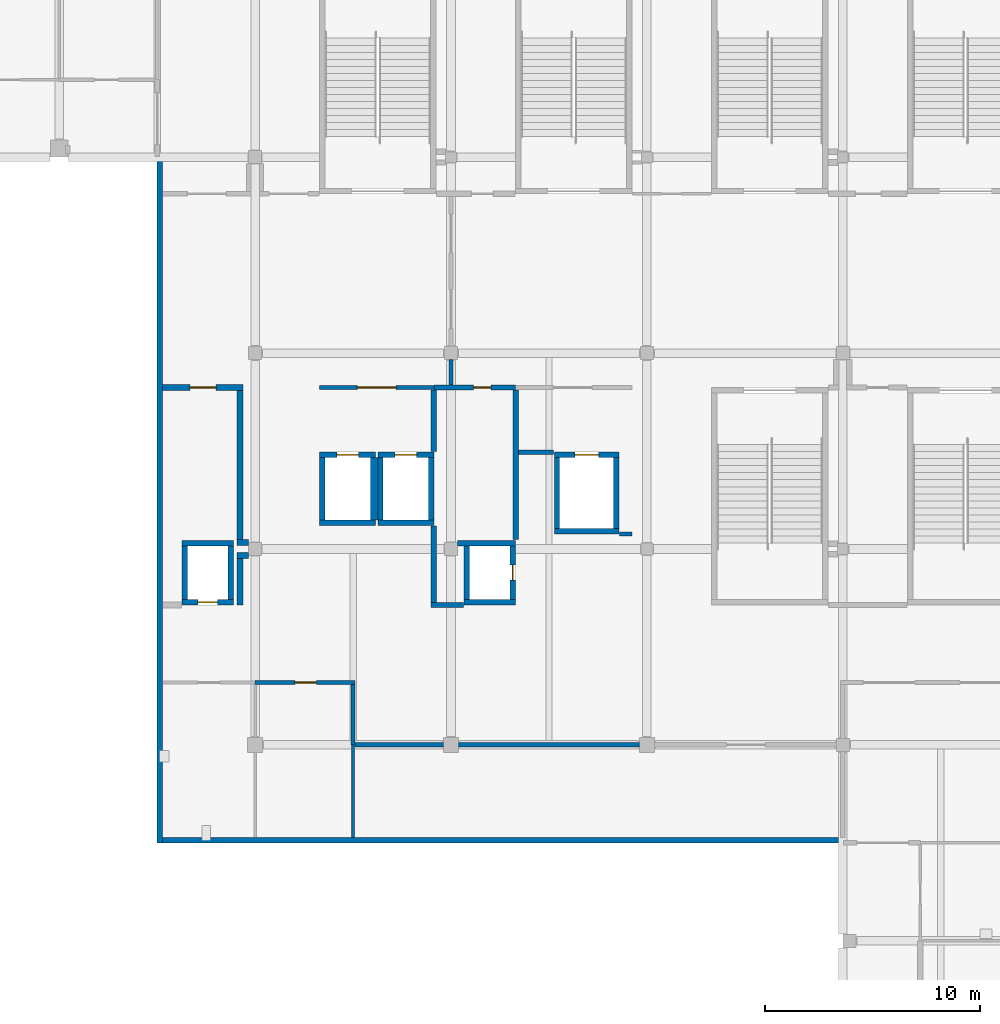
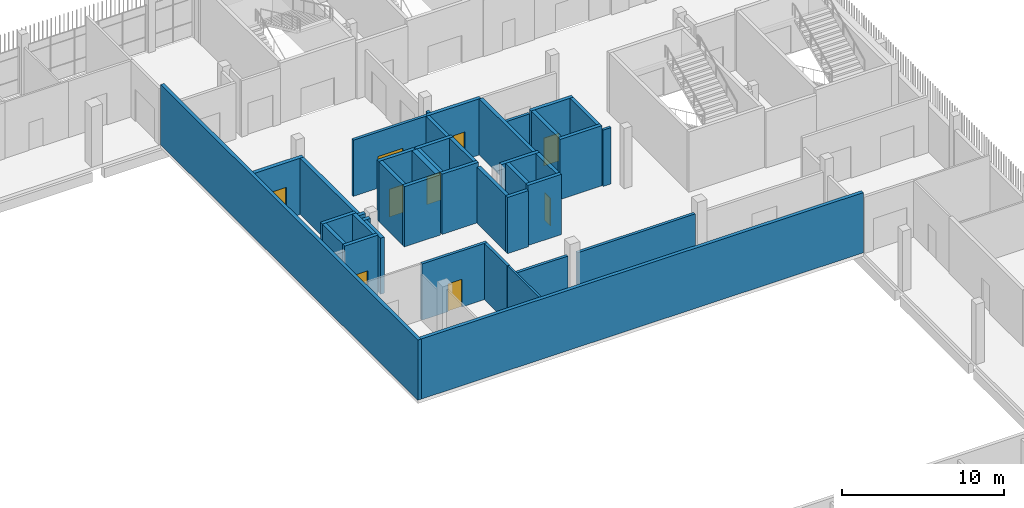
# One storey, part 77 of 124: 41 walls, 9 doors, 9 openings.
"""IFC4 building model written with IfcOpenShell, lengths in metres."""

from ifc_helpers import new_model, si_unit, direction, frame, frame_2d, origin, place, context, subcontext, project, spatial, rectangle, extrude, material, layer, layer_set, type_object, element, fill, save


model = new_model("IFC4")

# Units and contexts
model_context = context("Model", 3, precision=1e-05, world=origin(), true_north=direction((0.0, 1.0)))
body_context = subcontext(model_context, "Body", "Model", "MODEL_VIEW")
ifc_project = project(units=[si_unit("LENGTHUNIT", "METRE"), si_unit("AREAUNIT", "SQUARE_METRE"), si_unit("VOLUMEUNIT", "CUBIC_METRE"), si_unit("PLANEANGLEUNIT", "RADIAN"), si_unit("MASSUNIT", "GRAM", prefix="KILO")], contexts=[model_context])

# Site, building, storey
site_placement = place(None, origin())
site = spatial("IfcSite", under=ifc_project, at=site_placement, CompositionType="ELEMENT")
building_placement = place(site_placement, origin())
building = spatial("IfcBuilding", under=site, at=building_placement, Name="Shirokan Park Arena", CompositionType="ELEMENT")
storey_placement = place(building_placement, frame((0.0, 0.0, 20.02001953125)))
storey = spatial("IfcBuildingStorey", under=building, at=storey_placement, Name="L04", CompositionType="ELEMENT", Elevation=20.02001953125)

# Walls
ifc_material_1 = material(Name="Plaster")
ifc_layer_1 = layer(ifc_material_1, 0.014892578125, Name="Plaster")
ifc_material_2 = material(Name="Concrete blockwork", Category="masonry")
ifc_layer_2 = layer(ifc_material_2, 0.219970703125, Name="Concrete blockwork 220")
ifc_layer_3 = layer(ifc_material_1, 0.014892578125, Name="Plaster")
ifc_layer_set_1 = layer_set([ifc_layer_1, ifc_layer_2, ifc_layer_3], Name="Plaster + Concrete blockwork 220")
wall_type_1 = type_object("IfcWallType", Name="Compartment wall 250", PredefinedType="SOLIDWALL", material=ifc_layer_set_1)
wall_1_placement = place(storey_placement, frame((117.5, 79.425048828125, 0.0), z_axis=(0.0, 0.0, 1.0), x_axis=(0.0, 1.0, 0.0)))
element("IfcWall", 1, at=wall_1_placement, inside=storey, type_object=wall_type_1, Name="Compartment wall 250 L04", PredefinedType="SOLIDWALL", context=body_context, shape_type="SweptSolid", body=[
    extrude(rectangle(XDim=3.544921875, YDim=0.25, at=frame_2d((1.7724609375, 0.0))), origin(), (0.0, 0.0, 1.0), 4.25),
])
wall_2_placement = place(storey_placement, frame((117.5, 86.429931640625, 0.0), z_axis=(0.0, 0.0, 1.0), x_axis=(0.0, 1.0, 0.0)))
element("IfcWall", 2, at=wall_2_placement, inside=storey, type_object=wall_type_1, Name="Compartment wall 250 L04", PredefinedType="SOLIDWALL", context=body_context, shape_type="SweptSolid", body=[
    extrude(rectangle(XDim=2.844970703125, YDim=0.25, at=frame_2d((1.42236328125, 0.0))), origin(), (0.0, 0.0, 1.0), 4.25),
])

# Wall, opening, door
wall_3_placement = place(storey_placement, frame((117.5, 89.39990234375, 0.0), z_axis=(0.0, 0.0, 1.0), x_axis=(1.0, 0.0, 0.0)))
wall_3 = element("IfcWall", 3, at=wall_3_placement, inside=storey, type_object=wall_type_1, Name="Compartment wall 250 L04", PredefinedType="SOLIDWALL", context=body_context, shape_type="SweptSolid", body=[
    extrude(rectangle(XDim=3.800048828125, YDim=0.25, at=frame_2d((1.89990234375, 0.0))), origin(), (0.0, 0.0, 1.0), 4.25),
])
opening_1_placement = place(wall_3_placement, frame((1.85009765625, 0.0, 0.0)))
opening_1 = element("IfcOpeningElement", 4, at=opening_1_placement, cuts=wall_3, Name="Opening D-4025", PredefinedType="OPENING", context=body_context, shape_type="SweptSolid", body=[
    extrude(rectangle(XDim=0.800048828125, YDim=2.10009765625, at=frame_2d((0.39990234375, 1.050048828125))), frame((0.0, 0.135009765625, 0.0), z_axis=(0.0, -1.0, 0.0), x_axis=(1.0, 0.0, 0.0)), (0.0, 0.0, 1.0), 0.27001953125),
])
ifc_material_3 = material(Name="Timber door set, fire resisting", Category="wood")
door_type_1 = type_object("IfcDoorType", Name="Cleaner store door 800 x 2100", OperationType="SINGLE_SWING_LEFT", PredefinedType="DOOR", material=ifc_material_3)
door_1_placement = place(opening_1_placement, origin())
door_1 = element("IfcDoor", 5, at=door_1_placement, inside=storey, type_object=door_type_1, Name="Door to Cleaner's Store 4.38 D-4025", OperationType="SINGLE_SWING_LEFT", OverallHeight=2.10009765625, OverallWidth=0.800048828125, PredefinedType="DOOR", context=body_context, shape_type="SweptSolid", body=[
    extrude(rectangle(XDim=0.800048828125, YDim=2.10009765625, at=frame_2d((0.39990234375, 1.050048828125))), frame((0.0, 0.02490234375, 0.0), z_axis=(0.0, -1.0, 0.0), x_axis=(1.0, 0.0, 0.0)), (0.0, 0.0, 1.0), 0.050048828125),
])
fill(opening_1, door_1)

# Walls
wall_4_placement = place(storey_placement, frame((118.8701171875, 79.300048828125, 0.0), z_axis=(0.0, 0.0, 1.0), x_axis=(-1.0, 0.0, 0.0)))
element("IfcWall", 6, at=wall_4_placement, inside=storey, type_object=wall_type_1, Name="Compartment wall 250 L04", PredefinedType="SOLIDWALL", context=body_context, shape_type="SweptSolid", body=[
    extrude(rectangle(XDim=1.4951171875, YDim=0.25, at=frame_2d((0.74755859375, 0.0))), origin(), (0.0, 0.0, 1.0), 4.25),
])
wall_5_placement = place(storey_placement, frame((121.300048828125, 82.330078125, 0.0), z_axis=(0.0, 0.0, 1.0), x_axis=(0.0, 1.0, 0.0)))
element("IfcWall", 7, at=wall_5_placement, inside=storey, type_object=wall_type_1, Name="Compartment wall 250 L04", PredefinedType="SOLIDWALL", context=body_context, shape_type="SweptSolid", body=[
    extrude(rectangle(XDim=6.94482421875, YDim=0.25, at=frame_2d((3.472412109375, 0.0))), origin(), (0.0, 0.0, 1.0), 4.25),
])

# Wall, opening, door
ifc_material_4 = material(Name="Gypsum board")
ifc_layer_4 = layer(ifc_material_4, 0.02490234375, Name="Gypsum board, two layers")
ifc_material_5 = material(Name="Mineral wool insulation")
ifc_layer_5 = layer(ifc_material_5, 0.14990234375, Name="Mineral wool insulation")
ifc_layer_6 = layer(ifc_material_4, 0.02490234375, Name="Gypsum board, two layers")
ifc_layer_set_2 = layer_set([ifc_layer_4, ifc_layer_5, ifc_layer_6], Name="Gypsum board, two layers + Mineral wool insulation")
wall_type_2 = type_object("IfcWallType", Name="Corridor wall 200", PredefinedType="PARTITIONING", material=ifc_layer_set_2)
wall_6_placement = place(storey_placement, frame((109.199951171875, 75.699951171875, 0.0), z_axis=(0.0, 0.0, 1.0), x_axis=(1.0, 0.0, 0.0)))
wall_6 = element("IfcWall", 8, at=wall_6_placement, inside=storey, type_object=wall_type_2, Name="Corridor wall 200 L04", PredefinedType="PARTITIONING", context=body_context, shape_type="SweptSolid", body=[
    extrude(rectangle(XDim=4.650146484375, YDim=0.199951171875, at=frame_2d((2.3251953125, 0.0))), origin(), (0.0, 0.0, 1.0), 4.25),
])
opening_2_placement = place(wall_6_placement, frame((1.85009765625, 0.0, 0.0)))
opening_2 = element("IfcOpeningElement", 9, at=opening_2_placement, cuts=wall_6, Name="Opening D-4031", PredefinedType="OPENING", context=body_context, shape_type="SweptSolid", body=[
    extrude(rectangle(XDim=1.0, YDim=2.10009765625, at=frame_2d((0.5, 1.050048828125))), frame((0.0, 0.10986328125, 0.0), z_axis=(0.0, -1.0, 0.0), x_axis=(1.0, 0.0, 0.0)), (0.0, 0.0, 1.0), 0.219970703125),
])
door_type_2 = type_object("IfcDoorType", Name="Door 1000 x 2100", OperationType="SINGLE_SWING_LEFT", PredefinedType="DOOR", material=ifc_material_3)
door_2_placement = place(opening_2_placement, origin())
door_2 = element("IfcDoor", 10, at=door_2_placement, inside=storey, type_object=door_type_2, Name="Door to Meeting Room 4.32 D-4031", OperationType="SINGLE_SWING_RIGHT", OverallHeight=2.10009765625, OverallWidth=1.0, PredefinedType="DOOR", context=body_context, shape_type="SweptSolid", body=[
    extrude(rectangle(XDim=1.0, YDim=2.10009765625, at=frame_2d((0.5, 1.050048828125))), frame((0.0, 0.02490234375, 0.0), z_axis=(0.0, -1.0, 0.0), x_axis=(1.0, 0.0, 0.0)), (0.0, 0.0, 1.0), 0.050048828125),
])
fill(opening_2, door_2)

# Walls
wall_7_placement = place(storey_placement, frame((113.75, 75.60009765625, 0.0), z_axis=(0.0, 0.0, 1.0), x_axis=(0.0, -1.0, 0.0)))
element("IfcWall", 11, at=wall_7_placement, inside=storey, type_object=wall_type_2, Name="Corridor wall 200 L04", PredefinedType="PARTITIONING", context=body_context, shape_type="SweptSolid", body=[
    extrude(rectangle(XDim=2.800048828125, YDim=0.199951171875, at=frame_2d((1.39990234375, 0.0))), origin(), (0.0, 0.0, 1.0), 4.25),
])
wall_8_placement = place(storey_placement, frame((113.85009765625, 72.800048828125, 0.0), z_axis=(0.0, 0.0, 1.0), x_axis=(1.0, 0.0, 0.0)))
element("IfcWall", 12, at=wall_8_placement, inside=storey, type_object=wall_type_2, Name="Corridor wall 200 L04", PredefinedType="PARTITIONING", context=body_context, shape_type="SweptSolid", body=[
    extrude(rectangle(XDim=4.099853515625, YDim=0.199951171875, at=frame_2d((2.0498046875, 0.0))), origin(), (0.0, 0.0, 1.0), 3.550048828125),
])

# Wall, opening, door
wall_9_placement = place(storey_placement, frame((117.5, 89.39990234375, 0.0), z_axis=(0.0, 0.0, 1.0), x_axis=(-1.0, 0.0, 0.0)))
wall_9 = element("IfcWall", 13, at=wall_9_placement, inside=storey, type_object=wall_type_2, Name="Corridor wall 200 L04", PredefinedType="PARTITIONING", context=body_context, shape_type="SweptSolid", body=[
    extrude(rectangle(XDim=5.300048828125, YDim=0.199951171875, at=frame_2d((2.64990234375, 0.0))), origin(), (0.0, 0.0, 1.0), 4.25),
])
opening_3_placement = place(wall_9_placement, frame((1.75, 0.0, 0.0)))
opening_3 = element("IfcOpeningElement", 14, at=opening_3_placement, cuts=wall_9, Name="Opening D-4102", PredefinedType="OPENING", context=body_context, shape_type="SweptSolid", body=[
    extrude(rectangle(XDim=1.800048828125, YDim=2.39990234375, at=frame_2d((0.89990234375, 1.199951171875))), frame((0.0, 0.10986328125, 0.0), z_axis=(0.0, -1.0, 0.0), x_axis=(1.0, 0.0, 0.0)), (0.0, 0.0, 1.0), 0.219970703125),
])
ifc_material_6 = material(Name="Glazed steel door set, fire resisting", Category="steel")
door_type_3 = type_object("IfcDoorType", Name="Lift lobby door 1800 x 2400", OperationType="DOUBLE_DOOR_SINGLE_SWING", PredefinedType="DOOR", material=ifc_material_6)
door_3_placement = place(opening_3_placement, origin())
door_3 = element("IfcDoor", 15, at=door_3_placement, inside=storey, type_object=door_type_3, Name="Door between Stair Lobby 3.4.2 and Lift Lobby 3.4 D-4102", OperationType="DOUBLE_DOOR_SINGLE_SWING", OverallHeight=2.39990234375, OverallWidth=1.800048828125, PredefinedType="DOOR", context=body_context, shape_type="SweptSolid", body=[
    extrude(rectangle(XDim=1.800048828125, YDim=2.39990234375, at=frame_2d((0.89990234375, 1.199951171875))), frame((0.0, 0.02490234375, 0.0), z_axis=(0.0, -1.0, 0.0), x_axis=(1.0, 0.0, 0.0)), (0.0, 0.0, 1.0), 0.050048828125),
])
fill(opening_3, door_3)

# Walls
wall_10_placement = place(storey_placement, frame((118.300048828125, 89.52490234375, 0.0), z_axis=(0.0, 0.0, 1.0), x_axis=(0.0, 1.0, 0.0)))
element("IfcWall", 16, at=wall_10_placement, inside=storey, type_object=wall_type_2, Name="Corridor wall 200 L04", PredefinedType="PARTITIONING", context=body_context, shape_type="SweptSolid", body=[
    extrude(rectangle(XDim=1.175048828125, YDim=0.199951171875, at=frame_2d((0.58740234375, 0.0))), origin(), (0.0, 0.0, 1.0), 3.5),
])
wall_11_placement = place(storey_placement, frame((118.64990234375, 72.800048828125, 0.0), z_axis=(0.0, 0.0, 1.0), x_axis=(1.0, 0.0, 0.0)))
element("IfcWall", 17, at=wall_11_placement, inside=storey, type_object=wall_type_2, Name="Corridor wall 200 L04", PredefinedType="PARTITIONING", context=body_context, shape_type="SweptSolid", body=[
    extrude(rectangle(XDim=8.400146484375, YDim=0.199951171875, at=frame_2d((4.2001953125, 0.0))), origin(), (0.0, 0.0, 1.0), 3.550048828125),
])
wall_12_placement = place(storey_placement, frame((123.070068359375, 86.39990234375, 0.0), z_axis=(0.0, 0.0, 1.0), x_axis=(-1.0, 0.0, 0.0)))
element("IfcWall", 18, at=wall_12_placement, inside=storey, type_object=wall_type_2, Name="Corridor wall 200 L04", PredefinedType="PARTITIONING", context=body_context, shape_type="SweptSolid", body=[
    extrude(rectangle(XDim=1.64501953125, YDim=0.199951171875, at=frame_2d((0.822509765625, 0.0))), origin(), (0.0, 0.0, 1.0), 4.25),
])
wall_13_placement = place(storey_placement, frame((126.699951171875, 82.60009765625, 0.0), z_axis=(0.0, 0.0, 1.0), x_axis=(-1.0, 0.0, 0.0)))
element("IfcWall", 19, at=wall_13_placement, inside=storey, type_object=wall_type_2, Name="Corridor wall 200 L04", PredefinedType="PARTITIONING", context=body_context, shape_type="SweptSolid", body=[
    extrude(rectangle(XDim=0.570068359375, YDim=0.199951171875, at=frame_2d((0.28515625, 0.0))), origin(), (0.0, 0.0, 1.0), 4.25),
])
ifc_layer_7 = layer(ifc_material_1, 0.012451171875, Name="Plaster")
ifc_layer_8 = layer(ifc_material_2, 0.25, Name="Concrete blockwork 250")
ifc_layer_9 = layer(ifc_material_1, 0.012451171875, Name="Plaster")
ifc_layer_set_3 = layer_set([ifc_layer_7, ifc_layer_8, ifc_layer_9], Name="Plaster + Concrete blockwork 250")
wall_type_3 = type_object("IfcWallType", Name="Plant room wall 275", PredefinedType="SOLIDWALL", material=ifc_layer_set_3)
wall_14_placement = place(storey_placement, frame((108.362548828125, 81.60009765625, 0.0), z_axis=(0.0, 0.0, 1.0), x_axis=(1.0, 0.0, 0.0)))
element("IfcWall", 20, at=wall_14_placement, inside=storey, type_object=wall_type_3, Name="Plant room wall 275 L04", PredefinedType="SOLIDWALL", context=body_context, shape_type="SweptSolid", body=[
    extrude(rectangle(XDim=0.537353515625, YDim=0.27490234375, at=frame_2d((0.2685546875, 0.0))), origin(), (0.0, 0.0, 1.0), 4.25),
])
wall_15_placement = place(storey_placement, frame((108.5, 79.300048828125, 0.0), z_axis=(0.0, 0.0, 1.0), x_axis=(0.0, 1.0, 0.0)))
element("IfcWall", 21, at=wall_15_placement, inside=storey, type_object=wall_type_3, Name="Plant room wall 275 L04", PredefinedType="SOLIDWALL", context=body_context, shape_type="SweptSolid", body=[
    extrude(rectangle(XDim=2.162353515625, YDim=0.27490234375, at=frame_2d((1.0810546875, 0.0))), origin(), (0.0, 0.0, 1.0), 4.25),
])
wall_16_placement = place(storey_placement, frame((108.5, 82.33740234375, 0.0), z_axis=(0.0, 0.0, 1.0), x_axis=(0.0, 1.0, 0.0)))
element("IfcWall", 22, at=wall_16_placement, inside=storey, type_object=wall_type_3, Name="Plant room wall 275 L04", PredefinedType="SOLIDWALL", context=body_context, shape_type="SweptSolid", body=[
    extrude(rectangle(XDim=6.925048828125, YDim=0.27490234375, at=frame_2d((3.46240234375, 0.0))), origin(), (0.0, 0.0, 1.0), 4.25),
])

# Wall, opening, door
wall_17_placement = place(storey_placement, frame((108.637451171875, 89.39990234375, 0.0), z_axis=(0.0, 0.0, 1.0), x_axis=(-1.0, 0.0, 0.0)))
wall_17 = element("IfcWall", 23, at=wall_17_placement, inside=storey, type_object=wall_type_3, Name="Plant room wall 275 L04", PredefinedType="SOLIDWALL", context=body_context, shape_type="SweptSolid", body=[
    extrude(rectangle(XDim=3.737548828125, YDim=0.27490234375, at=frame_2d((1.86865234375, 0.0))), origin(), (0.0, 0.0, 1.0), 4.25),
])
opening_4_placement = place(wall_17_placement, frame((1.25, 0.0, 0.0)))
opening_4 = element("IfcOpeningElement", 24, at=opening_4_placement, cuts=wall_17, Name="Opening D-4026", PredefinedType="OPENING", context=body_context, shape_type="SweptSolid", body=[
    extrude(rectangle(XDim=1.199951171875, YDim=2.39990234375, at=frame_2d((0.60009765625, 1.199951171875))), frame((0.0, 0.1474609375, 0.0), z_axis=(0.0, -1.0, 0.0), x_axis=(1.0, 0.0, 0.0)), (0.0, 0.0, 1.0), 0.294921875),
])
ifc_material_7 = material(Name="Louvred steel door set, fire resisting", Category="steel")
door_type_4 = type_object("IfcDoorType", Name="Plant room door 1200 x 2400", OperationType="SINGLE_SWING_LEFT", PredefinedType="DOOR", material=ifc_material_7)
door_4_placement = place(opening_4_placement, origin())
door_4 = element("IfcDoor", 25, at=door_4_placement, inside=storey, type_object=door_type_4, Name="Door to Communications Room 4.39 D-4026", OperationType="SINGLE_SWING_RIGHT", OverallHeight=2.39990234375, OverallWidth=1.199951171875, PredefinedType="DOOR", context=body_context, shape_type="SweptSolid", body=[
    extrude(rectangle(XDim=1.199951171875, YDim=2.39990234375, at=frame_2d((0.60009765625, 1.199951171875))), frame((0.0, 0.02490234375, 0.0), z_axis=(0.0, -1.0, 0.0), x_axis=(1.0, 0.0, 0.0)), (0.0, 0.0, 1.0), 0.050048828125),
])
fill(opening_4, door_4)

# Walls
wall_18_placement = place(storey_placement, frame((108.89990234375, 82.199951171875, 0.0), z_axis=(0.0, 0.0, 1.0), x_axis=(-1.0, 0.0, 0.0)))
element("IfcWall", 26, at=wall_18_placement, inside=storey, type_object=wall_type_3, Name="Plant room wall 275 L04", PredefinedType="SOLIDWALL", context=body_context, shape_type="SweptSolid", body=[
    extrude(rectangle(XDim=0.537353515625, YDim=0.27490234375, at=frame_2d((0.2685546875, 0.0))), origin(), (0.0, 0.0, 1.0), 4.25),
])
ifc_material_8 = material(Name="Concrete C35", Category="concrete")
ifc_layer_10 = layer(ifc_material_8, 0.25)
ifc_layer_set_4 = layer_set([ifc_layer_10], Name="Concrete C35 250 mm")
wall_type_4 = type_object("IfcWallType", Name="RC flank wall 250", PredefinedType="SHEAR", material=ifc_layer_set_4)
for number, where, z_axis, x_axis, name in (
    (27, (104.77490234375, 68.25, 0.0), (0.0, 0.0, 1.0), (0.0, 1.0, 0.0), "Flank wall N2 L04"),
    (28, (104.64990234375, 68.375, 0.0), (0.0, 0.0, 1.0), (1.0, 0.0, 0.0), "Flank wall E2 L04"),
):
    element("IfcWall", number, at=place(storey_placement, frame(where, z_axis=z_axis, x_axis=x_axis)), inside=storey, type_object=wall_type_4, Name=name, PredefinedType="SHEAR", context=body_context, shape_type="SweptSolid", body=[
        extrude(rectangle(XDim=31.85009765625, YDim=0.25, at=frame_2d((15.925048828125, 0.0))), origin(), (0.0, 0.0, 1.0), 4.550048828125),
    ])
ifc_material_9 = material(Name="Concrete C40/50", Category="concrete")
ifc_layer_11 = layer(ifc_material_9, 0.25)
ifc_layer_set_5 = layer_set([ifc_layer_11], Name="Concrete C40/50 250 mm")
wall_type_5 = type_object("IfcWallType", Name="RC shear wall 250", PredefinedType="SHEAR", material=ifc_layer_set_5)
wall_19_placement = place(storey_placement, frame((117.5, 83.125, 0.0), z_axis=(0.0, 0.0, 1.0), x_axis=(-1.0, 0.0, 0.0)))
element("IfcWall", 29, at=wall_19_placement, inside=storey, type_object=wall_type_5, Name="Shaft wall Passenger Lift 3.1 S L04", PredefinedType="SHEAR", context=body_context, shape_type="SweptSolid", body=[
    extrude(rectangle(XDim=2.60009765625, YDim=0.25, at=frame_2d((1.300048828125, 0.0))), origin(), (0.0, 0.0, 1.0), 4.550048828125),
])

# Wall, opening, door
wall_20_placement = place(storey_placement, frame((117.5, 86.27490234375, 0.0), z_axis=(0.0, 0.0, 1.0), x_axis=(-1.0, 0.0, 0.0)))
wall_20 = element("IfcWall", 30, at=wall_20_placement, inside=storey, type_object=wall_type_5, Name="Shaft wall Passenger Lift 3.1 N L04", PredefinedType="SHEAR", context=body_context, shape_type="SweptSolid", body=[
    extrude(rectangle(XDim=2.60009765625, YDim=0.25, at=frame_2d((1.300048828125, 0.0))), origin(), (0.0, 0.0, 1.0), 4.550048828125),
])
opening_5_placement = place(wall_20_placement, frame((0.800048828125, 0.0, 0.0)))
opening_5 = element("IfcOpeningElement", 31, at=opening_5_placement, cuts=wall_20, Name="Opening LD29", PredefinedType="OPENING", context=body_context, shape_type="SweptSolid", body=[
    extrude(rectangle(XDim=1.0, YDim=2.10009765625, at=frame_2d((0.5, 1.050048828125))), frame((0.0, 0.135009765625, 0.0), z_axis=(0.0, -1.0, 0.0), x_axis=(1.0, 0.0, 0.0)), (0.0, 0.0, 1.0), 0.27001953125),
])
ifc_material_10 = material(Name="Stainless steel", Category="steel")
door_type_5 = type_object("IfcDoorType", Name="Lift landing door 1000x2100", OperationType="DOUBLE_DOOR_SLIDING", PredefinedType="DOOR", material=ifc_material_10)
door_5_placement = place(opening_5_placement, origin())
door_5 = element("IfcDoor", 32, at=door_5_placement, inside=storey, type_object=door_type_5, Name="Lift landing door Passenger Lift 3.1 L04", OperationType="DOUBLE_DOOR_SLIDING", OverallHeight=2.10009765625, OverallWidth=1.0, PredefinedType="DOOR", context=body_context, shape_type="SweptSolid", body=[
    extrude(rectangle(XDim=1.0, YDim=2.10009765625, at=frame_2d((0.5, 1.050048828125))), frame((0.0, 0.02490234375, 0.0), z_axis=(0.0, -1.0, 0.0), x_axis=(1.0, 0.0, 0.0)), (0.0, 0.0, 1.0), 0.050048828125),
])
fill(opening_5, door_5)

# Walls
for number, where, z_axis, x_axis, name in (
    (33, (115.02490234375, 86.14990234375, 0.0), (0.0, 0.0, 1.0), (0.0, -1.0, 0.0), "Shaft wall Passenger Lift 3.1 W L04"),
    (34, (117.375, 86.14990234375, 0.0), (0.0, 0.0, 1.0), (0.0, -1.0, 0.0), "Shaft wall Passenger Lift 3.1 E L04"),
):
    element("IfcWall", number, at=place(storey_placement, frame(where, z_axis=z_axis, x_axis=x_axis)), inside=storey, type_object=wall_type_5, Name=name, PredefinedType="SHEAR", context=body_context, shape_type="SweptSolid", body=[
        extrude(rectangle(XDim=2.89990234375, YDim=0.25, at=frame_2d((1.449951171875, 0.0))), origin(), (0.0, 0.0, 1.0), 4.550048828125),
    ])
wall_21_placement = place(storey_placement, frame((114.800048828125, 83.125, 0.0), z_axis=(0.0, 0.0, 1.0), x_axis=(-1.0, 0.0, 0.0)))
element("IfcWall", 35, at=wall_21_placement, inside=storey, type_object=wall_type_5, Name="Shaft wall Passenger Lift 3.2 S L04", PredefinedType="SHEAR", context=body_context, shape_type="SweptSolid", body=[
    extrude(rectangle(XDim=2.60009765625, YDim=0.25, at=frame_2d((1.300048828125, 0.0))), origin(), (0.0, 0.0, 1.0), 4.550048828125),
])

# Wall, opening, door
wall_22_placement = place(storey_placement, frame((114.800048828125, 86.27490234375, 0.0), z_axis=(0.0, 0.0, 1.0), x_axis=(-1.0, 0.0, 0.0)))
wall_22 = element("IfcWall", 36, at=wall_22_placement, inside=storey, type_object=wall_type_5, Name="Shaft wall Passenger Lift 3.2 N L04", PredefinedType="SHEAR", context=body_context, shape_type="SweptSolid", body=[
    extrude(rectangle(XDim=2.60009765625, YDim=0.25, at=frame_2d((1.300048828125, 0.0))), origin(), (0.0, 0.0, 1.0), 4.550048828125),
])
opening_6_placement = place(wall_22_placement, frame((0.800048828125, 0.0, 0.0)))
opening_6 = element("IfcOpeningElement", 37, at=opening_6_placement, cuts=wall_22, Name="Opening LD35", PredefinedType="OPENING", context=body_context, shape_type="SweptSolid", body=[
    extrude(rectangle(XDim=1.0, YDim=2.10009765625, at=frame_2d((0.5, 1.050048828125))), frame((0.0, 0.135009765625, 0.0), z_axis=(0.0, -1.0, 0.0), x_axis=(1.0, 0.0, 0.0)), (0.0, 0.0, 1.0), 0.27001953125),
])
door_6_placement = place(opening_6_placement, origin())
door_6 = element("IfcDoor", 38, at=door_6_placement, inside=storey, type_object=door_type_5, Name="Lift landing door Passenger Lift 3.2 L04", OperationType="DOUBLE_DOOR_SLIDING", OverallHeight=2.10009765625, OverallWidth=1.0, PredefinedType="DOOR", context=body_context, shape_type="SweptSolid", body=[
    extrude(rectangle(XDim=1.0, YDim=2.10009765625, at=frame_2d((0.5, 1.050048828125))), frame((0.0, 0.02490234375, 0.0), z_axis=(0.0, -1.0, 0.0), x_axis=(1.0, 0.0, 0.0)), (0.0, 0.0, 1.0), 0.050048828125),
])
fill(opening_6, door_6)

# Wall
wall_23_placement = place(storey_placement, frame((112.324951171875, 86.14990234375, 0.0), z_axis=(0.0, 0.0, 1.0), x_axis=(0.0, -1.0, 0.0)))
element("IfcWall", 39, at=wall_23_placement, inside=storey, type_object=wall_type_5, Name="Shaft wall Passenger Lift 3.2 W L04", PredefinedType="SHEAR", context=body_context, shape_type="SweptSolid", body=[
    extrude(rectangle(XDim=2.89990234375, YDim=0.25, at=frame_2d((1.449951171875, 0.0))), origin(), (0.0, 0.0, 1.0), 4.550048828125),
])

# Wall, opening, door
wall_24_placement = place(storey_placement, frame((108.199951171875, 79.425048828125, 0.0), z_axis=(0.0, 0.0, 1.0), x_axis=(-1.0, 0.0, 0.0)))
wall_24 = element("IfcWall", 40, at=wall_24_placement, inside=storey, type_object=wall_type_5, Name="Shaft wall Services Riser 3.1 S L04", PredefinedType="SHEAR", context=body_context, shape_type="SweptSolid", body=[
    extrude(rectangle(XDim=2.39990234375, YDim=0.25, at=frame_2d((1.199951171875, 0.0))), origin(), (0.0, 0.0, 1.0), 4.550048828125),
])
opening_7_placement = place(wall_24_placement, frame((0.75, 0.0, 0.0)))
opening_7 = element("IfcOpeningElement", 41, at=opening_7_placement, cuts=wall_24, Name="Opening D-4123", PredefinedType="OPENING", context=body_context, shape_type="SweptSolid", body=[
    extrude(rectangle(XDim=0.89990234375, YDim=2.10009765625, at=frame_2d((0.449951171875, 1.050048828125))), frame((0.0, 0.135009765625, 0.0), z_axis=(0.0, -1.0, 0.0), x_axis=(1.0, 0.0, 0.0)), (0.0, 0.0, 1.0), 0.27001953125),
])
ifc_material_11 = material(Name="Steel door set, fire resisting", Category="steel")
door_type_6 = type_object("IfcDoorType", Name="Electrical riser door 900 x 2100", OperationType="SINGLE_SWING_LEFT", PredefinedType="DOOR", material=ifc_material_11)
door_7_placement = place(opening_7_placement, origin())
door_7 = element("IfcDoor", 42, at=door_7_placement, inside=storey, type_object=door_type_6, Name="Riser access door Services Riser 3.1 D-4123", OperationType="SINGLE_SWING_LEFT", OverallHeight=2.10009765625, OverallWidth=0.89990234375, PredefinedType="DOOR", context=body_context, shape_type="SweptSolid", body=[
    extrude(rectangle(XDim=0.89990234375, YDim=2.10009765625, at=frame_2d((0.449951171875, 1.050048828125))), frame((0.0, 0.02490234375, 0.0), z_axis=(0.0, -1.0, 0.0), x_axis=(1.0, 0.0, 0.0)), (0.0, 0.0, 1.0), 0.050048828125),
])
fill(opening_7, door_7)

# Walls
wall_25_placement = place(storey_placement, frame((108.199951171875, 82.175048828125, 0.0), z_axis=(0.0, 0.0, 1.0), x_axis=(-1.0, 0.0, 0.0)))
element("IfcWall", 43, at=wall_25_placement, inside=storey, type_object=wall_type_5, Name="Shaft wall Services Riser 3.1 N L04", PredefinedType="SHEAR", context=body_context, shape_type="SweptSolid", body=[
    extrude(rectangle(XDim=2.39990234375, YDim=0.25, at=frame_2d((1.199951171875, 0.0))), origin(), (0.0, 0.0, 1.0), 4.550048828125),
])
for number, where, z_axis, x_axis, name in (
    (44, (105.925048828125, 82.050048828125, 0.0), (0.0, 0.0, 1.0), (0.0, -1.0, 0.0), "Shaft wall Services Riser 3.1 W L04"),
    (45, (108.074951171875, 82.050048828125, 0.0), (0.0, 0.0, 1.0), (0.0, -1.0, 0.0), "Shaft wall Services Riser 3.1 E L04"),
):
    element("IfcWall", number, at=place(storey_placement, frame(where, z_axis=z_axis, x_axis=x_axis)), inside=storey, type_object=wall_type_5, Name=name, PredefinedType="SHEAR", context=body_context, shape_type="SweptSolid", body=[
        extrude(rectangle(XDim=2.5, YDim=0.25, at=frame_2d((1.25, 0.0))), origin(), (0.0, 0.0, 1.0), 4.550048828125),
    ])
wall_26_placement = place(storey_placement, frame((121.300048828125, 79.425048828125, 0.0), z_axis=(0.0, 0.0, 1.0), x_axis=(-1.0, 0.0, 0.0)))
element("IfcWall", 46, at=wall_26_placement, inside=storey, type_object=wall_type_5, Name="Shaft wall Services Riser 3.2 S L04", PredefinedType="SHEAR", context=body_context, shape_type="SweptSolid", body=[
    extrude(rectangle(XDim=2.400146484375, YDim=0.25, at=frame_2d((1.2001953125, 0.0))), origin(), (0.0, 0.0, 1.0), 4.550048828125),
])
wall_27_placement = place(storey_placement, frame((121.300048828125, 82.175048828125, 0.0), z_axis=(0.0, 0.0, 1.0), x_axis=(-1.0, 0.0, 0.0)))
element("IfcWall", 47, at=wall_27_placement, inside=storey, type_object=wall_type_5, Name="Shaft wall Services Riser 3.2 N L04", PredefinedType="SHEAR", context=body_context, shape_type="SweptSolid", body=[
    extrude(rectangle(XDim=2.699951171875, YDim=0.25, at=frame_2d((1.35009765625, 0.0))), origin(), (0.0, 0.0, 1.0), 4.550048828125),
])
wall_28_placement = place(storey_placement, frame((119.02490234375, 82.050048828125, 0.0), z_axis=(0.0, 0.0, 1.0), x_axis=(0.0, -1.0, 0.0)))
element("IfcWall", 48, at=wall_28_placement, inside=storey, type_object=wall_type_5, Name="Shaft wall Services Riser 3.2 W L04", PredefinedType="SHEAR", context=body_context, shape_type="SweptSolid", body=[
    extrude(rectangle(XDim=2.5, YDim=0.25, at=frame_2d((1.25, 0.0))), origin(), (0.0, 0.0, 1.0), 4.550048828125),
])

# Wall, opening, door
wall_29_placement = place(storey_placement, frame((121.175048828125, 82.050048828125, 0.0), z_axis=(0.0, 0.0, 1.0), x_axis=(0.0, -1.0, 0.0)))
wall_29 = element("IfcWall", 49, at=wall_29_placement, inside=storey, type_object=wall_type_5, Name="Shaft wall Services Riser 3.2 E L04", PredefinedType="SHEAR", context=body_context, shape_type="SweptSolid", body=[
    extrude(rectangle(XDim=2.5, YDim=0.25, at=frame_2d((1.25, 0.0))), origin(), (0.0, 0.0, 1.0), 4.550048828125),
])
opening_8_placement = place(wall_29_placement, frame((0.89990234375, 0.0, 0.0)))
opening_8 = element("IfcOpeningElement", 50, at=opening_8_placement, cuts=wall_29, Name="Opening D-4124", PredefinedType="OPENING", context=body_context, shape_type="SweptSolid", body=[
    extrude(rectangle(XDim=0.699951171875, YDim=2.10009765625, at=frame_2d((0.35009765625, 1.050048828125))), frame((0.0, 0.135009765625, 0.0), z_axis=(0.0, -1.0, 0.0), x_axis=(1.0, 0.0, 0.0)), (0.0, 0.0, 1.0), 0.27001953125),
])
door_type_7 = type_object("IfcDoorType", Name="Mechanical riser door 700 x 2100", OperationType="SINGLE_SWING_LEFT", PredefinedType="DOOR", material=ifc_material_11)
door_8_placement = place(opening_8_placement, origin())
door_8 = element("IfcDoor", 51, at=door_8_placement, inside=storey, type_object=door_type_7, Name="Riser access door Services Riser 3.2 D-4124", OperationType="SINGLE_SWING_RIGHT", OverallHeight=2.10009765625, OverallWidth=0.699951171875, PredefinedType="DOOR", context=body_context, shape_type="SweptSolid", body=[
    extrude(rectangle(XDim=0.699951171875, YDim=2.10009765625, at=frame_2d((0.35009765625, 1.050048828125))), frame((0.0, 0.02490234375, 0.0), z_axis=(0.0, -1.0, 0.0), x_axis=(1.0, 0.0, 0.0)), (0.0, 0.0, 1.0), 0.050048828125),
])
fill(opening_8, door_8)

# Wall
wall_30_placement = place(storey_placement, frame((126.10009765625, 82.72509765625, 0.0), z_axis=(0.0, 0.0, 1.0), x_axis=(-1.0, 0.0, 0.0)))
element("IfcWall", 52, at=wall_30_placement, inside=storey, type_object=wall_type_5, Name="Shaft wall Service Lift 3 S L04", PredefinedType="SHEAR", context=body_context, shape_type="SweptSolid", body=[
    extrude(rectangle(XDim=3.0, YDim=0.25, at=frame_2d((1.5, 0.0))), origin(), (0.0, 0.0, 1.0), 4.550048828125),
])

# Wall, opening, door
wall_31_placement = place(storey_placement, frame((126.10009765625, 86.27490234375, 0.0), z_axis=(0.0, 0.0, 1.0), x_axis=(-1.0, 0.0, 0.0)))
wall_31 = element("IfcWall", 53, at=wall_31_placement, inside=storey, type_object=wall_type_5, Name="Shaft wall Service Lift 3 N L04", PredefinedType="SHEAR", context=body_context, shape_type="SweptSolid", body=[
    extrude(rectangle(XDim=3.0, YDim=0.25, at=frame_2d((1.5, 0.0))), origin(), (0.0, 0.0, 1.0), 4.550048828125),
])
opening_9_placement = place(wall_31_placement, frame((0.949951171875, 0.0, 0.0)))
opening_9 = element("IfcOpeningElement", 54, at=opening_9_placement, cuts=wall_31, Name="Opening LD67", PredefinedType="OPENING", context=body_context, shape_type="SweptSolid", body=[
    extrude(rectangle(XDim=1.10009765625, YDim=2.10009765625, at=frame_2d((0.550048828125, 1.050048828125))), frame((0.0, 0.135009765625, 0.0), z_axis=(0.0, -1.0, 0.0), x_axis=(1.0, 0.0, 0.0)), (0.0, 0.0, 1.0), 0.27001953125),
])
door_type_8 = type_object("IfcDoorType", Name="Lift landing door 1100x2100", OperationType="DOUBLE_DOOR_SLIDING", PredefinedType="DOOR", material=ifc_material_10)
door_9_placement = place(opening_9_placement, origin())
door_9 = element("IfcDoor", 55, at=door_9_placement, inside=storey, type_object=door_type_8, Name="Lift landing door Service Lift 3 L04", OperationType="DOUBLE_DOOR_SLIDING", OverallHeight=2.10009765625, OverallWidth=1.10009765625, PredefinedType="DOOR", context=body_context, shape_type="SweptSolid", body=[
    extrude(rectangle(XDim=1.10009765625, YDim=2.10009765625, at=frame_2d((0.550048828125, 1.050048828125))), frame((0.0, 0.02490234375, 0.0), z_axis=(0.0, -1.0, 0.0), x_axis=(1.0, 0.0, 0.0)), (0.0, 0.0, 1.0), 0.050048828125),
])
fill(opening_9, door_9)

# Walls
for number, where, z_axis, x_axis, name in (
    (56, (123.22509765625, 86.14990234375, 0.0), (0.0, 0.0, 1.0), (0.0, -1.0, 0.0), "Shaft wall Service Lift 3 W L04"),
    (57, (125.97509765625, 86.14990234375, 0.0), (0.0, 0.0, 1.0), (0.0, -1.0, 0.0), "Shaft wall Service Lift 3 E L04"),
):
    element("IfcWall", number, at=place(storey_placement, frame(where, z_axis=z_axis, x_axis=x_axis)), inside=storey, type_object=wall_type_5, Name=name, PredefinedType="SHEAR", context=body_context, shape_type="SweptSolid", body=[
        extrude(rectangle(XDim=3.2998046875, YDim=0.25, at=frame_2d((1.64990234375, 0.0))), origin(), (0.0, 0.0, 1.0), 4.550048828125),
    ])
ifc_layer_12 = layer(ifc_material_9, 0.35009765625)
ifc_layer_set_6 = layer_set([ifc_layer_12], Name="Concrete C40/50 350 mm")
wall_type_6 = type_object("IfcWallType", Name="RC shear wall 350", PredefinedType="SHEAR", material=ifc_layer_set_6)
wall_32_placement = place(storey_placement, frame((114.72509765625, 86.14990234375, 0.0), z_axis=(0.0, 0.0, 1.0), x_axis=(0.0, -1.0, 0.0)))
element("IfcWall", 58, at=wall_32_placement, inside=storey, type_object=wall_type_6, Name="Shaft wall Passenger Lift 3.2 E L04", PredefinedType="SHEAR", context=body_context, shape_type="SweptSolid", body=[
    extrude(rectangle(XDim=2.89990234375, YDim=0.35009765625, at=frame_2d((1.449951171875, 0.0))), origin(), (0.0, 0.0, 1.0), 4.550048828125),
])
ifc_layer_13 = layer(ifc_material_4, 0.012451171875, Name="Gypsum board")
ifc_layer_14 = layer(ifc_material_5, 0.125, Name="Mineral wool insulation")
ifc_layer_15 = layer(ifc_material_4, 0.012451171875, Name="Gypsum board")
ifc_layer_set_7 = layer_set([ifc_layer_13, ifc_layer_14, ifc_layer_15], Name="Gypsum board + Mineral wool insulation")
wall_type_7 = type_object("IfcWallType", Name="Room partition 150", PredefinedType="PARTITIONING", material=ifc_layer_set_7)
wall_33_placement = place(storey_placement, frame((113.75, 68.5, 0.0), z_axis=(0.0, 0.0, 1.0), x_axis=(0.0, 1.0, 0.0)))
element("IfcWall", 59, at=wall_33_placement, inside=storey, type_object=wall_type_7, Name="Room partition 150 L04", PredefinedType="PARTITIONING", context=body_context, shape_type="SweptSolid", body=[
    extrude(rectangle(XDim=4.300048828125, YDim=0.14990234375, at=frame_2d((2.14990234375, 0.0))), origin(), (0.0, 0.0, 1.0), 4.25),
])

save(model, "model.ifc")
